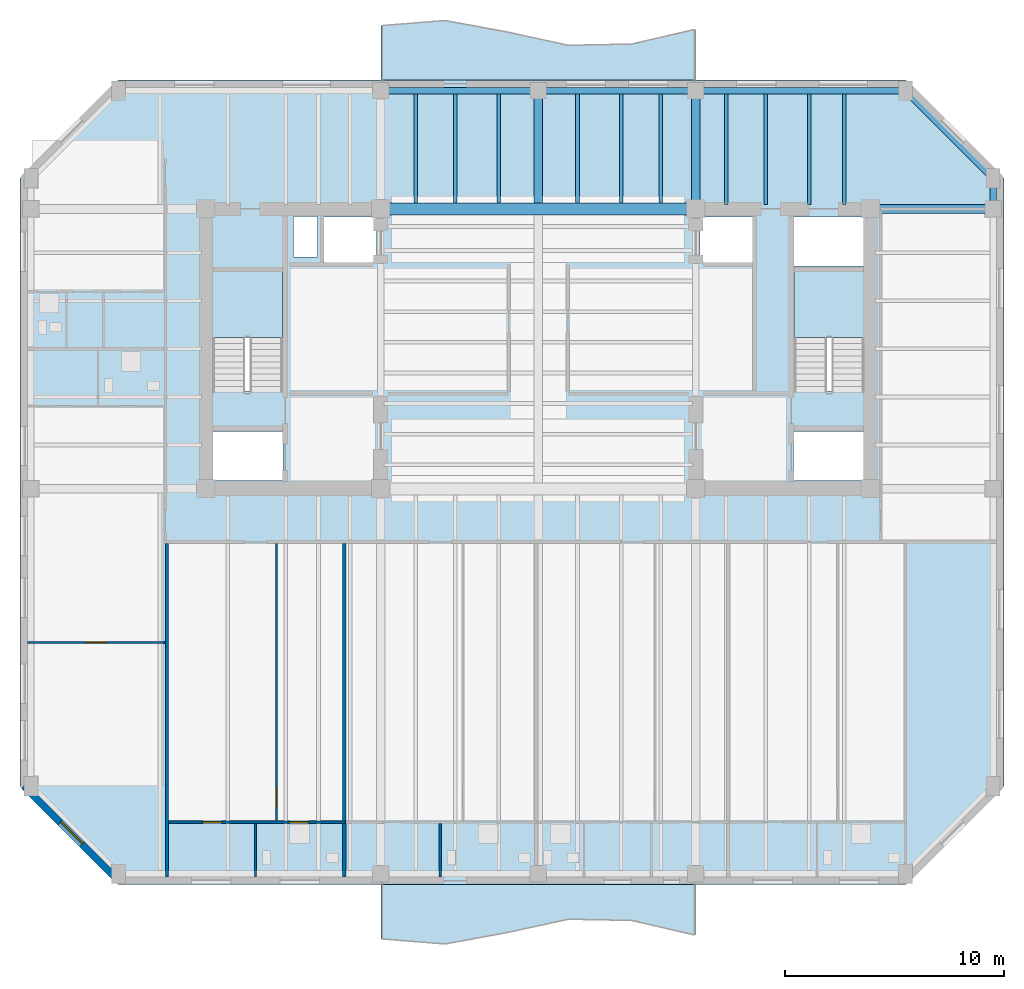
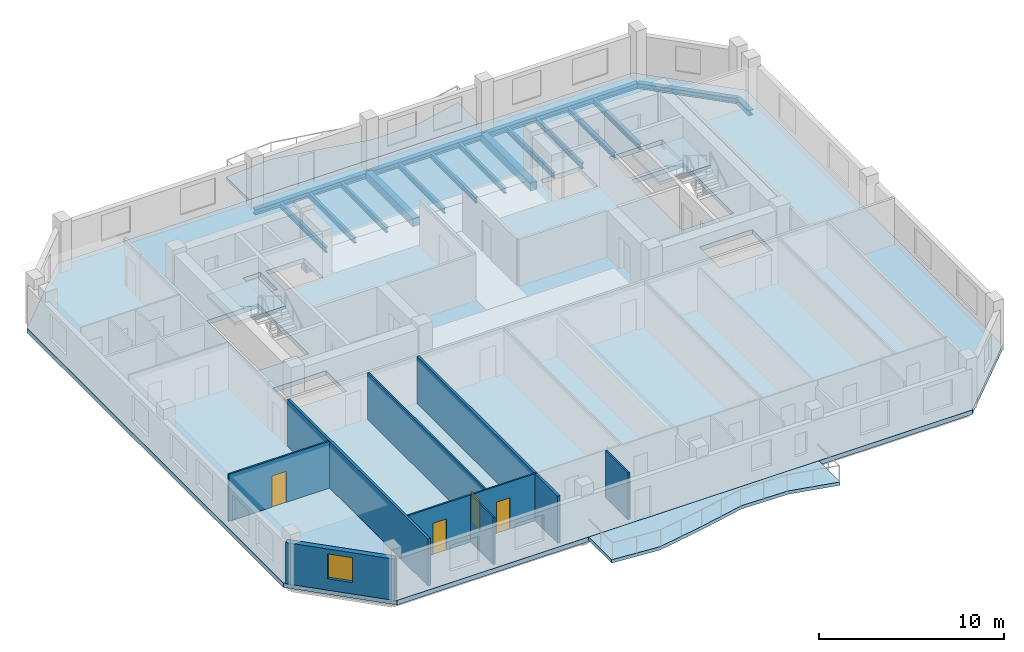
# One storey, part 2 of 11: 19 beams, 8 walls, 5 slabs, 4 doors, 1 window, 5 openings, 2 elements without a shape of their own.
"""IFC4 building model written with IfcOpenShell, lengths in metres."""

from ifc_helpers import new_model, si_unit, direction, frame, frame_2d, origin, origin_2d, place, context, subcontext, project, spatial, polyline, rectangle, i_section, outline, extrude, material, layer, layer_set, material_profile, profile_set, type_object, element, fill, aggregate, save


model = new_model("IFC4")

# Units and contexts
model_context = context("Model", 3, precision=1e-05, world=origin(), true_north=direction((0.0, 1.0)))
body_context = subcontext(model_context, "Body", "Model", "MODEL_VIEW")
ifc_project = project(units=[si_unit("LENGTHUNIT", "METRE"), si_unit("AREAUNIT", "SQUARE_METRE"), si_unit("VOLUMEUNIT", "CUBIC_METRE"), si_unit("PLANEANGLEUNIT", "RADIAN"), si_unit("MASSUNIT", "GRAM", prefix="KILO")], contexts=[model_context])

# Site, building, storey
site_placement = place(None, origin())
site = spatial("IfcSite", under=ifc_project, at=site_placement, CompositionType="ELEMENT")
building_placement = place(site_placement, origin())
building = spatial("IfcBuilding", under=site, at=building_placement, Name="Kranthara Brick Stack", CompositionType="ELEMENT")
storey_placement = place(building_placement, frame((0.0, 0.0, 217.699951171875)))
storey = spatial("IfcBuildingStorey", under=building, at=storey_placement, Name="L56", CompositionType="ELEMENT", Elevation=217.699951171875)

# Beams
ifc_material_1 = material(Name="Concrete C50/60", Category="concrete")
ifc_material_profile_1 = material_profile(ifc_material_1, rectangle(XDim=0.550048828125, YDim=0.85009765625, at=origin_2d()), Name="RC 550x850")
ifc_profile_set_1 = profile_set([ifc_material_profile_1], Name="Concrete C50/60")
beam_type_1 = type_object("IfcBeamType", Name="BM-CPL-RC850", PredefinedType="LINTEL", material=ifc_profile_set_1)
beam_1_placement = place(storey_placement, frame((20.800048828125, 33.60009765625, -0.724853515625), z_axis=(1.0, 0.0, 0.0), x_axis=(0.0, 1.0, 0.0)))
element("IfcBeam", 1, at=beam_1_placement, inside=storey, type_object=beam_type_1, Name="L56 Core Coupling Beam 002", PredefinedType="LINTEL", context=body_context, shape_type="SweptSolid", body=[
    extrude(rectangle(XDim=0.550048828125, YDim=0.85009765625, at=origin_2d()), origin(), (0.0, 0.0, 1.0), 14.39990234375),
])
ifc_material_2 = material(Name="Post-tensioned concrete C45/55", Category="concrete")
ifc_material_profile_2 = material_profile(ifc_material_2, rectangle(XDim=0.39990234375, YDim=0.550048828125, at=origin_2d()), Name="PT 400x550")
ifc_profile_set_2 = profile_set([ifc_material_profile_2], Name="Post-tensioned concrete C45/55")
beam_type_2 = type_object("IfcBeamType", Name="BM-FLR-PT550", PredefinedType="BEAM", material=ifc_profile_set_2)
beam_2_placement = place(storey_placement, frame((28.0, 33.875, -0.574951171875), z_axis=(0.0, 1.0, 0.0), x_axis=(-1.0, 0.0, 0.0)))
element("IfcBeam", 2, at=beam_2_placement, inside=storey, type_object=beam_type_2, Name="L56 Primary Grid Girder 027", PredefinedType="BEAM", context=body_context, shape_type="SweptSolid", body=[
    extrude(rectangle(XDim=0.39990234375, YDim=0.550048828125, at=origin_2d()), origin(), (0.0, 0.0, 1.0), 5.125),
])
beam_3_placement = place(storey_placement, frame((35.199951171875, 33.60009765625, -0.574951171875), z_axis=(0.0, 1.0, 0.0), x_axis=(-1.0, 0.0, 0.0)))
element("IfcBeam", 3, at=beam_3_placement, inside=storey, type_object=beam_type_2, Name="L56 Primary Grid Girder 029", PredefinedType="BEAM", context=body_context, shape_type="SweptSolid", body=[
    extrude(rectangle(XDim=0.39990234375, YDim=0.550048828125, at=origin_2d()), origin(), (0.0, 0.0, 1.0), 5.39990234375),
])
beam_4_placement = place(storey_placement, frame((43.199951171875, 33.60009765625, -0.574951171875), z_axis=(1.0, 0.0, 0.0), x_axis=(0.0, 1.0, 0.0)))
element("IfcBeam", 4, at=beam_4_placement, inside=storey, type_object=beam_type_2, Name="L56 Primary Grid Girder 033", PredefinedType="BEAM", context=body_context, shape_type="SweptSolid", body=[
    extrude(rectangle(XDim=0.39990234375, YDim=0.550048828125, at=origin_2d()), origin(), (0.0, 0.0, 1.0), 5.60009765625),
])
ifc_material_3 = material(Name="Steel S355", Category="steel")
ifc_material_profile_3 = material_profile(ifc_material_3, i_section(OverallWidth=0.169921875, OverallDepth=0.360107421875, WebThickness=0.008056640625, FlangeThickness=0.0126953125, at=origin_2d()), Name="IPE 360")
ifc_profile_set_3 = profile_set([ifc_material_profile_3], Name="Steel S355")
beam_type_3 = type_object("IfcBeamType", Name="BM-JST-IPE360", PredefinedType="JOIST", material=ifc_profile_set_3)
for number, where, z_axis, x_axis, name in (
    (5, (22.39990234375, 33.875, -0.47998046875), (0.0, 1.0, 0.0), (-1.0, 0.0, 0.0), "L56 North Wing Floor Joist 063"),
    (6, (24.199951171875, 33.875, -0.47998046875), (0.0, 1.0, 0.0), (-1.0, 0.0, 0.0), "L56 North Wing Floor Joist 065"),
    (7, (26.199951171875, 33.875, -0.47998046875), (0.0, 1.0, 0.0), (-1.0, 0.0, 0.0), "L56 North Wing Floor Joist 067"),
    (8, (29.800048828125, 33.875, -0.47998046875), (0.0, 1.0, 0.0), (-1.0, 0.0, 0.0), "L56 North Wing Floor Joist 069"),
    (9, (31.800048828125, 33.875, -0.47998046875), (0.0, 1.0, 0.0), (-1.0, 0.0, 0.0), "L56 North Wing Floor Joist 071"),
    (10, (33.60009765625, 33.875, -0.47998046875), (0.0, 1.0, 0.0), (-1.0, 0.0, 0.0), "L56 North Wing Floor Joist 073"),
):
    element("IfcBeam", number, at=place(storey_placement, frame(where, z_axis=z_axis, x_axis=x_axis)), inside=storey, type_object=beam_type_3, Name=name, PredefinedType="JOIST", context=body_context, shape_type="SweptSolid", body=[
        extrude(i_section(OverallWidth=0.169921875, OverallDepth=0.360107421875, WebThickness=0.008056640625, FlangeThickness=0.0126953125, at=origin_2d()), origin(), (0.0, 0.0, 1.0), 4.97509765625),
    ])
for number, where, z_axis, x_axis, name in (
    (11, (36.60009765625, 33.800048828125, -0.47998046875), (0.0, 1.0, 0.0), (-1.0, 0.0, 0.0), "L56 North Wing Floor Joist 075"),
    (12, (38.39990234375, 33.800048828125, -0.47998046875), (0.0, 1.0, 0.0), (-1.0, 0.0, 0.0), "L56 North Wing Floor Joist 077"),
    (13, (40.39990234375, 33.800048828125, -0.47998046875), (0.0, 1.0, 0.0), (-1.0, 0.0, 0.0), "L56 North Wing Floor Joist 079"),
    (14, (42.0, 33.800048828125, -0.47998046875), (0.0, 1.0, 0.0), (-1.0, 0.0, 0.0), "L56 North Wing Floor Joist 081"),
):
    element("IfcBeam", number, at=place(storey_placement, frame(where, z_axis=z_axis, x_axis=x_axis)), inside=storey, type_object=beam_type_3, Name=name, PredefinedType="JOIST", context=body_context, shape_type="SweptSolid", body=[
        extrude(i_section(OverallWidth=0.169921875, OverallDepth=0.360107421875, WebThickness=0.008056640625, FlangeThickness=0.0126953125, at=origin_2d()), origin(), (0.0, 0.0, 1.0), 5.050048828125),
    ])
ifc_material_4 = material(Name="Steel S355", Category="steel")
ifc_material_profile_4 = material_profile(ifc_material_4, i_section(OverallWidth=0.300048828125, OverallDepth=0.360107421875, WebThickness=0.012451171875, FlangeThickness=0.0224609375, at=origin_2d()), Name="HEB 360")
ifc_profile_set_4 = profile_set([ifc_material_profile_4], Name="Steel S355")
beam_type_4 = type_object("IfcBeamType", Name="BM-STL-HEB360", PredefinedType="SPANDREL", material=ifc_profile_set_4)
for number, where, z_axis, x_axis, name in (
    (15, (20.800048828125, 39.0, -0.47998046875), (1.0, 0.0, 0.0), (0.0, 1.0, 0.0), "L56 Perimeter Spandrel Beam 010"),
    (16, (28.0, 39.0, -0.47998046875), (1.0, 0.0, 0.0), (0.0, 1.0, 0.0), "L56 Perimeter Spandrel Beam 011"),
):
    element("IfcBeam", number, at=place(storey_placement, frame(where, z_axis=z_axis, x_axis=x_axis)), inside=storey, type_object=beam_type_4, Name=name, PredefinedType="SPANDREL", context=body_context, shape_type="SweptSolid", body=[
        extrude(i_section(OverallWidth=0.300048828125, OverallDepth=0.360107421875, WebThickness=0.012451171875, FlangeThickness=0.0224609375, at=origin_2d()), origin(), (0.0, 0.0, 1.0), 7.199951171875),
    ])
beam_5_placement = place(storey_placement, frame((35.199951171875, 39.0, -0.47998046875), z_axis=(1.0, 0.0, 0.0), x_axis=(0.0, 1.0, 0.0)))
element("IfcBeam", 17, at=beam_5_placement, inside=storey, type_object=beam_type_4, Name="L56 Perimeter Spandrel Beam 012", PredefinedType="SPANDREL", context=body_context, shape_type="SweptSolid", body=[
    extrude(i_section(OverallWidth=0.300048828125, OverallDepth=0.360107421875, WebThickness=0.012451171875, FlangeThickness=0.0224609375, at=origin_2d()), origin(), (0.0, 0.0, 1.0), 9.60009765625),
])
beam_6_placement = place(storey_placement, frame((48.800048828125, 33.60009765625, -0.47998046875), z_axis=(0.0, 1.0, 0.0), x_axis=(-1.0, 0.0, 0.0)))
element("IfcBeam", 18, at=beam_6_placement, inside=storey, type_object=beam_type_4, Name="L56 Perimeter Spandrel Beam 018", PredefinedType="SPANDREL", context=body_context, shape_type="SweptSolid", body=[
    extrude(i_section(OverallWidth=0.300048828125, OverallDepth=0.360107421875, WebThickness=0.012451171875, FlangeThickness=0.0224609375, at=origin_2d()), origin(), (0.0, 0.0, 1.0), 1.39990234375),
])
beam_7_placement = place(storey_placement, frame((44.800048828125, 39.0, -0.47998046875), z_axis=(0.707106781187, -0.707106781187, 0.0), x_axis=(0.707106781187, 0.707106781187, 0.0)))
element("IfcBeam", 19, at=beam_7_placement, inside=storey, type_object=beam_type_4, Name="L56 Chamfer Corner Spandrel 022", PredefinedType="SPANDREL", context=body_context, shape_type="SweptSolid", body=[
    extrude(i_section(OverallWidth=0.300048828125, OverallDepth=0.360107421875, WebThickness=0.012451171875, FlangeThickness=0.0224609375, at=origin_2d()), origin(), (0.0, 0.0, 1.0), 5.65673828125),
])

# Slabs
ifc_material_5 = material(Name="Concrete C45/55", Category="concrete")
ifc_layer_1 = layer(ifc_material_5, 0.219970703125)
ifc_layer_set_1 = layer_set([ifc_layer_1], Name="Concrete C45/55")
slab_type_1 = type_object("IfcSlabType", Name="SLB-BALC-220", PredefinedType="FLOOR", material=ifc_layer_set_1)
slab_1_placement = place(storey_placement, frame((0.0, 0.0, -0.219970703125)))
element("IfcSlab", 20, at=slab_1_placement, inside=storey, type_object=slab_type_1, Name="L56 South Rippling Balcony Slab", PredefinedType="FLOOR", context=body_context, shape_type="SweptSolid", body=[
    extrude(outline(polyline([(20.800048828125, 2.699951171875), (35.199951171875, 2.699951171875), (35.199951171875, 0.3916015625), (32.320068359375, 1.061767578125), (29.43994140625, 1.11962890625), (26.56005859375, 0.49267578125), (23.679931640625, -0.03076171875), (20.800048828125, 0.20751953125), (20.800048828125, 2.699951171875)])), origin(), (0.0, 0.0, 1.0), 0.219970703125),
])
slab_2_placement = place(storey_placement, frame((0.0, 0.0, -0.219970703125)))
element("IfcSlab", 21, at=slab_2_placement, inside=storey, type_object=slab_type_1, Name="L56 North Rippling Balcony Slab", PredefinedType="FLOOR", context=body_context, shape_type="SweptSolid", body=[
    extrude(outline(polyline([(35.199951171875, 39.5), (20.800048828125, 39.5), (20.800048828125, 41.992431640625), (23.679931640625, 42.23095703125), (26.56005859375, 41.70751953125), (29.43994140625, 41.080322265625), (32.320068359375, 41.13818359375), (35.199951171875, 41.808349609375), (35.199951171875, 39.5)])), origin(), (0.0, 0.0, 1.0), 0.219970703125),
])

# Stair, slab
ifc_material_6 = material(Name="Concrete C45/55", Category="concrete")
stair_type = type_object("IfcStairType", Name="ST-CORE-20R", PredefinedType="HALF_TURN_STAIR", material=ifc_material_6)
stair_1_placement = place(storey_placement, origin())
stair_1 = element("IfcStair", 22, at=stair_1_placement, inside=storey, type_object=stair_type, Name="L56 West Core Protected Exit Stair ST01", PredefinedType="HALF_TURN_STAIR")
ifc_material_7 = material(Name="Concrete C45/55", Category="concrete")
ifc_layer_2 = layer(ifc_material_7, 0.199951171875)
ifc_layer_set_2 = layer_set([ifc_layer_2], Name="Concrete C45/55")
slab_type_2 = type_object("IfcSlabType", Name="SLB-LANDING-200", PredefinedType="LANDING", material=ifc_layer_set_2)
slab_3_placement = place(storey_placement, frame((0.0, 0.0, 1.5)))
slab_3 = element("IfcSlab", 23, at=slab_3_placement, type_object=slab_type_2, Name="ST01 landing 1", PredefinedType="LANDING", context=body_context, shape_type="SweptSolid", body=[
    extrude(outline(polyline([(16.300048828125, 27.719970703125), (16.300048828125, 30.75), (13.10009765625, 30.75), (13.10009765625, 27.719970703125), (16.300048828125, 27.719970703125)])), origin(), (0.0, 0.0, 1.0), 0.199951171875),
])
aggregate(stair_1, [slab_3])

stair_2_placement = place(storey_placement, origin())
stair_2 = element("IfcStair", 24, at=stair_2_placement, inside=storey, type_object=stair_type, Name="L56 East Core Protected Exit Stair ST02", PredefinedType="HALF_TURN_STAIR")
slab_4_placement = place(storey_placement, frame((0.0, 0.0, 1.5)))
slab_4 = element("IfcSlab", 25, at=slab_4_placement, type_object=slab_type_2, Name="ST02 landing 1", PredefinedType="LANDING", context=body_context, shape_type="SweptSolid", body=[
    extrude(outline(polyline([(42.89990234375, 27.719970703125), (42.89990234375, 30.75), (39.699951171875, 30.75), (39.699951171875, 27.719970703125), (42.89990234375, 27.719970703125)])), origin(), (0.0, 0.0, 1.0), 0.199951171875),
])
aggregate(stair_2, [slab_4])

# Slab
ifc_material_8 = material(Name="Post-tensioned concrete C45/55", Category="concrete")
ifc_layer_3 = layer(ifc_material_8, 0.300048828125)
ifc_layer_set_3 = layer_set([ifc_layer_3], Name="Post-tensioned concrete C45/55")
slab_type_3 = type_object("IfcSlabType", Name="SLB-TWR-300", PredefinedType="FLOOR", material=ifc_layer_set_3)
slab_5_placement = place(storey_placement, frame((0.0, 0.0, -0.300048828125)))
element("IfcSlab", 26, at=slab_5_placement, inside=storey, type_object=slab_type_3, Name="L56 Structural Floor Plate", PredefinedType="FLOOR", context=body_context, shape_type="SweptSolid", body=[
    extrude(outline(polyline([(8.800048828125, 2.699951171875), (44.800048828125, 2.699951171875), (49.300048828125, 7.199951171875), (49.300048828125, 35.0), (44.800048828125, 39.5), (8.800048828125, 39.5), (4.300048828125, 35.0), (4.300048828125, 7.199951171875), (8.800048828125, 2.699951171875)]), holes=[polyline([(13.10009765625, 25.280029296875), (16.300048828125, 25.280029296875), (16.300048828125, 30.75), (13.10009765625, 30.75), (13.10009765625, 25.280029296875)]), polyline([(39.699951171875, 25.280029296875), (42.89990234375, 25.280029296875), (42.89990234375, 30.75), (39.699951171875, 30.75), (39.699951171875, 25.280029296875)]), polyline([(13.0, 21.179931640625), (16.320068359375, 21.179931640625), (16.320068359375, 23.419921875), (13.0, 23.419921875), (13.0, 21.179931640625)]), polyline([(39.679931640625, 21.179931640625), (43.0, 21.179931640625), (43.0, 23.419921875), (39.679931640625, 23.419921875), (39.679931640625, 21.179931640625)]), polyline([(39.679931640625, 30.97998046875), (43.0, 30.97998046875), (43.0, 33.219970703125), (39.679931640625, 33.219970703125), (39.679931640625, 30.97998046875)]), polyline([(18.199951171875, 31.14990234375), (20.60009765625, 31.14990234375), (20.60009765625, 33.219970703125), (18.199951171875, 33.219970703125), (18.199951171875, 31.14990234375)]), polyline([(35.39990234375, 31.14990234375), (37.800048828125, 31.14990234375), (37.800048828125, 33.219970703125), (35.39990234375, 33.219970703125), (35.39990234375, 31.14990234375)]), polyline([(16.800048828125, 31.39990234375), (17.89990234375, 31.39990234375), (17.89990234375, 33.25), (16.800048828125, 33.25), (16.800048828125, 31.39990234375)])]), origin(), (0.0, 0.0, 1.0), 0.300048828125),
])

# Wall, opening, window
ifc_material_9 = material(Name="Warm buff clay brick masonry M15", Category="masonry")
ifc_layer_4 = layer(ifc_material_9, 0.320068359375)
ifc_layer_set_4 = layer_set([ifc_layer_4], Name="Warm buff clay brick masonry M15")
wall_type_1 = type_object("IfcWallType", Name="WL-BRK-UPPR-320", PredefinedType="STANDARD", material=ifc_layer_set_4)
wall_1_placement = place(storey_placement, frame((8.800048828125, 2.8798828125, 0.0), z_axis=(0.0, 0.0, 1.0), x_axis=(-0.707106781187, 0.707106781187, 0.0)))
wall_1 = element("IfcWall", 27, at=wall_1_placement, inside=storey, type_object=wall_type_1, Name="L56 Exterior Brick Facade Wall SW 1", PredefinedType="STANDARD", context=body_context, shape_type="SweptSolid", body=[
    extrude(rectangle(XDim=6.109619140625, YDim=0.320068359375, at=frame_2d((3.0546875, 0.0))), origin(), (0.0, 0.0, 1.0), 2.72509765625),
])
opening_1_placement = place(wall_1_placement, frame((2.35498046875, 0.0, 0.75)))
opening_1 = element("IfcOpeningElement", 28, at=opening_1_placement, cuts=wall_1, Name="Opening WN10", PredefinedType="OPENING", context=body_context, shape_type="SweptSolid", body=[
    extrude(rectangle(XDim=1.39990234375, YDim=1.64990234375, at=frame_2d((0.699951171875, 0.824951171875))), frame((0.0, 0.169921875, 0.0), z_axis=(0.0, -1.0, 0.0), x_axis=(1.0, 0.0, 0.0)), (0.0, 0.0, 1.0), 0.340087890625),
])
ifc_material_10 = material(Name="Double-glazed low-E solar control glass", Category="glass")
window_type = type_object("IfcWindowType", Name="WN-CHM-1400x1750", PartitioningType="SINGLE_PANEL", PredefinedType="WINDOW", material=ifc_material_10)
window_placement = place(opening_1_placement, origin())
window = element("IfcWindow", 29, at=window_placement, inside=storey, type_object=window_type, Name="L56 SW Chamfer Corner Window", OverallHeight=1.64990234375, OverallWidth=1.39990234375, PartitioningType="SINGLE_PANEL", PredefinedType="WINDOW", context=body_context, shape_type="SweptSolid", body=[
    extrude(rectangle(XDim=1.39990234375, YDim=1.64990234375, at=frame_2d((0.699951171875, 0.824951171875))), frame((0.0, -0.010009765625, 0.0), z_axis=(0.0, -1.0, 0.0), x_axis=(1.0, 0.0, 0.0)), (0.0, 0.0, 1.0), 0.06005859375),
])
fill(opening_1, window)

# Wall, openings, doors
ifc_material_11 = material(Name="Moisture-resistant wet-room partition", Category="other")
ifc_layer_5 = layer(ifc_material_11, 0.10009765625)
ifc_layer_set_5 = layer_set([ifc_layer_5], Name="Moisture-resistant wet-room partition")
wall_type_2 = type_object("IfcWallType", Name="WL-PART-100", PredefinedType="PARTITIONING", material=ifc_layer_set_5)
wall_2_placement = place(storey_placement, frame((11.10009765625, 5.550048828125, 0.0), z_axis=(0.0, 0.0, 1.0), x_axis=(1.0, 0.0, 0.0)))
wall_2 = element("IfcWall", 30, at=wall_2_placement, inside=storey, type_object=wall_type_2, Name="L56 Interior Partition 007", PredefinedType="PARTITIONING", context=body_context, shape_type="SweptSolid", body=[
    extrude(rectangle(XDim=8.06689453125, YDim=0.10009765625, at=frame_2d((4.033447265625, 0.0))), origin(), (0.0, 0.0, 1.0), 3.10009765625),
])
opening_2_placement = place(wall_2_placement, frame((1.56201171875, 0.0, 0.0)))
opening_2 = element("IfcOpeningElement", 31, at=opening_2_placement, cuts=wall_2, Name="Opening D16", PredefinedType="OPENING", context=body_context, shape_type="SweptSolid", body=[
    extrude(rectangle(XDim=0.85009765625, YDim=2.050048828125, at=frame_2d((0.425048828125, 1.02490234375))), frame((0.0, 0.06005859375, 0.0), z_axis=(0.0, -1.0, 0.0), x_axis=(1.0, 0.0, 0.0)), (0.0, 0.0, 1.0), 0.1201171875),
])
opening_3_placement = place(wall_2_placement, frame((5.534912109375, 0.0, 0.0)))
opening_3 = element("IfcOpeningElement", 32, at=opening_3_placement, cuts=wall_2, Name="Opening D17", PredefinedType="OPENING", context=body_context, shape_type="SweptSolid", body=[
    extrude(rectangle(XDim=0.85009765625, YDim=2.050048828125, at=frame_2d((0.425048828125, 1.02490234375))), frame((0.0, 0.06005859375, 0.0), z_axis=(0.0, -1.0, 0.0), x_axis=(1.0, 0.0, 0.0)), (0.0, 0.0, 1.0), 0.1201171875),
])
ifc_material_12 = material(Name="Solid-core hardwood timber leaf in steel frame", Category="steel")
door_type_1 = type_object("IfcDoorType", Name="DR-INT-850", OperationType="NOTDEFINED", PredefinedType="DOOR", material=ifc_material_12)
door_1_placement = place(opening_2_placement, origin())
door_1 = element("IfcDoor", 33, at=door_1_placement, inside=storey, type_object=door_type_1, Name="L56 Unit L56A Kitchen 05", OperationType="SINGLE_SWING_LEFT", OverallHeight=2.050048828125, OverallWidth=0.85009765625, PredefinedType="DOOR", context=body_context, shape_type="SweptSolid", body=[
    extrude(rectangle(XDim=0.85009765625, YDim=2.050048828125, at=frame_2d((0.425048828125, 1.02490234375))), frame((0.0, 0.02490234375, 0.0), z_axis=(0.0, -1.0, 0.0), x_axis=(1.0, 0.0, 0.0)), (0.0, 0.0, 1.0), 0.050048828125),
])
fill(opening_2, door_1)
ifc_material_13 = material(Name="Solid-core hardwood timber leaf in steel frame", Category="steel")
door_type_2 = type_object("IfcDoorType", Name="DR-WET-850", OperationType="NOTDEFINED", PredefinedType="DOOR", material=ifc_material_13)
door_2_placement = place(opening_3_placement, origin())
door_2 = element("IfcDoor", 34, at=door_2_placement, inside=storey, type_object=door_type_2, Name="L56 Unit L56A Bathroom 06", OperationType="SINGLE_SWING_RIGHT", OverallHeight=2.050048828125, OverallWidth=0.85009765625, PredefinedType="DOOR", context=body_context, shape_type="SweptSolid", body=[
    extrude(rectangle(XDim=0.85009765625, YDim=2.050048828125, at=frame_2d((0.425048828125, 1.02490234375))), frame((0.0, 0.02490234375, 0.0), z_axis=(0.0, -1.0, 0.0), x_axis=(1.0, 0.0, 0.0)), (0.0, 0.0, 1.0), 0.050048828125),
])
fill(opening_3, door_2)

# Wall, opening, door
wall_3_placement = place(storey_placement, frame((16.027099609375, 5.60498046875, 0.0), z_axis=(0.0, 0.0, 1.0), x_axis=(0.0, 1.0, 0.0)))
wall_3 = element("IfcWall", 35, at=wall_3_placement, inside=storey, type_object=wall_type_2, Name="L56 Interior Partition 008", PredefinedType="PARTITIONING", context=body_context, shape_type="SweptSolid", body=[
    extrude(rectangle(XDim=12.695068359375, YDim=0.10009765625, at=frame_2d((6.34765625, 0.0))), origin(), (0.0, 0.0, 1.0), 3.10009765625),
])
opening_4_placement = place(wall_3_placement, frame((0.60498046875, 0.0, 0.0)))
opening_4 = element("IfcOpeningElement", 36, at=opening_4_placement, cuts=wall_3, Name="Opening D15", PredefinedType="OPENING", context=body_context, shape_type="SweptSolid", body=[
    extrude(rectangle(XDim=0.89990234375, YDim=2.050048828125, at=frame_2d((0.449951171875, 1.02490234375))), frame((0.0, 0.06005859375, 0.0), z_axis=(0.0, -1.0, 0.0), x_axis=(1.0, 0.0, 0.0)), (0.0, 0.0, 1.0), 0.1201171875),
])
ifc_material_14 = material(Name="Solid-core hardwood timber leaf in steel frame", Category="steel")
door_type_3 = type_object("IfcDoorType", Name="DR-INT-900", OperationType="NOTDEFINED", PredefinedType="DOOR", material=ifc_material_14)
door_3_placement = place(opening_4_placement, origin())
door_3 = element("IfcDoor", 37, at=door_3_placement, inside=storey, type_object=door_type_3, Name="L56 Unit L56A Study 04", OperationType="SINGLE_SWING_RIGHT", OverallHeight=2.050048828125, OverallWidth=0.89990234375, PredefinedType="DOOR", context=body_context, shape_type="SweptSolid", body=[
    extrude(rectangle(XDim=0.89990234375, YDim=2.050048828125, at=frame_2d((0.449951171875, 1.02490234375))), frame((0.0, 0.02490234375, 0.0), z_axis=(0.0, -1.0, 0.0), x_axis=(1.0, 0.0, 0.0)), (0.0, 0.0, 1.0), 0.050048828125),
])
fill(opening_4, door_3)

# Walls
for number, where, z_axis, x_axis, name in (
    (38, (15.072998046875, 3.044921875, 0.0), (0.0, 0.0, 1.0), (0.0, 1.0, 0.0), "L56 Interior Partition 009"),
    (39, (23.51806640625, 3.044921875, 0.0), (0.0, 0.0, 1.0), (0.0, 1.0, 0.0), "L56 Interior Partition 013"),
):
    element("IfcWall", number, at=place(storey_placement, frame(where, z_axis=z_axis, x_axis=x_axis)), inside=storey, type_object=wall_type_2, Name=name, PredefinedType="PARTITIONING", context=body_context, shape_type="SweptSolid", body=[
        extrude(rectangle(XDim=2.4501953125, YDim=0.10009765625, at=frame_2d((1.22509765625, 0.0))), origin(), (0.0, 0.0, 1.0), 3.10009765625),
    ])

# Wall, opening, door
wall_4_placement = place(storey_placement, frame((4.64501953125, 13.778076171875, 0.0), z_axis=(0.0, 0.0, 1.0), x_axis=(1.0, 0.0, 0.0)))
wall_4 = element("IfcWall", 40, at=wall_4_placement, inside=storey, type_object=wall_type_2, Name="L56 Interior Partition 031", PredefinedType="PARTITIONING", context=body_context, shape_type="SweptSolid", body=[
    extrude(rectangle(XDim=6.294921875, YDim=0.10009765625, at=frame_2d((3.1474609375, 0.0))), origin(), (0.0, 0.0, 1.0), 3.10009765625),
])
opening_5_placement = place(wall_4_placement, frame((2.696044921875, 0.0, 0.0)))
opening_5 = element("IfcOpeningElement", 41, at=opening_5_placement, cuts=wall_4, Name="Opening D15", PredefinedType="OPENING", context=body_context, shape_type="SweptSolid", body=[
    extrude(rectangle(XDim=0.89990234375, YDim=2.050048828125, at=frame_2d((0.449951171875, 1.02490234375))), frame((0.0, 0.06005859375, 0.0), z_axis=(0.0, -1.0, 0.0), x_axis=(1.0, 0.0, 0.0)), (0.0, 0.0, 1.0), 0.1201171875),
])
door_4_placement = place(opening_5_placement, origin())
door_4 = element("IfcDoor", 42, at=door_4_placement, inside=storey, type_object=door_type_3, Name="L56 Unit L56E Study 21", OperationType="SINGLE_SWING_LEFT", OverallHeight=2.050048828125, OverallWidth=0.89990234375, PredefinedType="DOOR", context=body_context, shape_type="SweptSolid", body=[
    extrude(rectangle(XDim=0.89990234375, YDim=2.050048828125, at=frame_2d((0.449951171875, 1.02490234375))), frame((0.0, 0.02490234375, 0.0), z_axis=(0.0, -1.0, 0.0), x_axis=(1.0, 0.0, 0.0)), (0.0, 0.0, 1.0), 0.050048828125),
])
fill(opening_5, door_4)

# Walls
ifc_material_15 = material(Name="Fire-rated gypsum board partition", Category="other")
ifc_layer_6 = layer(ifc_material_15, 0.14990234375)
ifc_layer_set_6 = layer_set([ifc_layer_6], Name="Fire-rated gypsum board partition")
wall_type_3 = type_object("IfcWallType", Name="WL-PART-150", PredefinedType="PARTITIONING", material=ifc_layer_set_6)
for number, where, z_axis, x_axis, name in (
    (43, (11.02001953125, 3.044921875, 0.0), (0.0, 0.0, 1.0), (0.0, 1.0, 0.0), "L56 Interior Partition 006"),
    (44, (19.126953125, 3.044921875, 0.0), (0.0, 0.0, 1.0), (0.0, 1.0, 0.0), "L56 Interior Partition 010"),
):
    element("IfcWall", number, at=place(storey_placement, frame(where, z_axis=z_axis, x_axis=x_axis)), inside=storey, type_object=wall_type_3, Name=name, PredefinedType="PARTITIONING", context=body_context, shape_type="SweptSolid", body=[
        extrude(rectangle(XDim=15.255126953125, YDim=0.14990234375, at=frame_2d((7.62744140625, 0.0))), origin(), (0.0, 0.0, 1.0), 3.10009765625),
    ])

save(model, "model.ifc")
